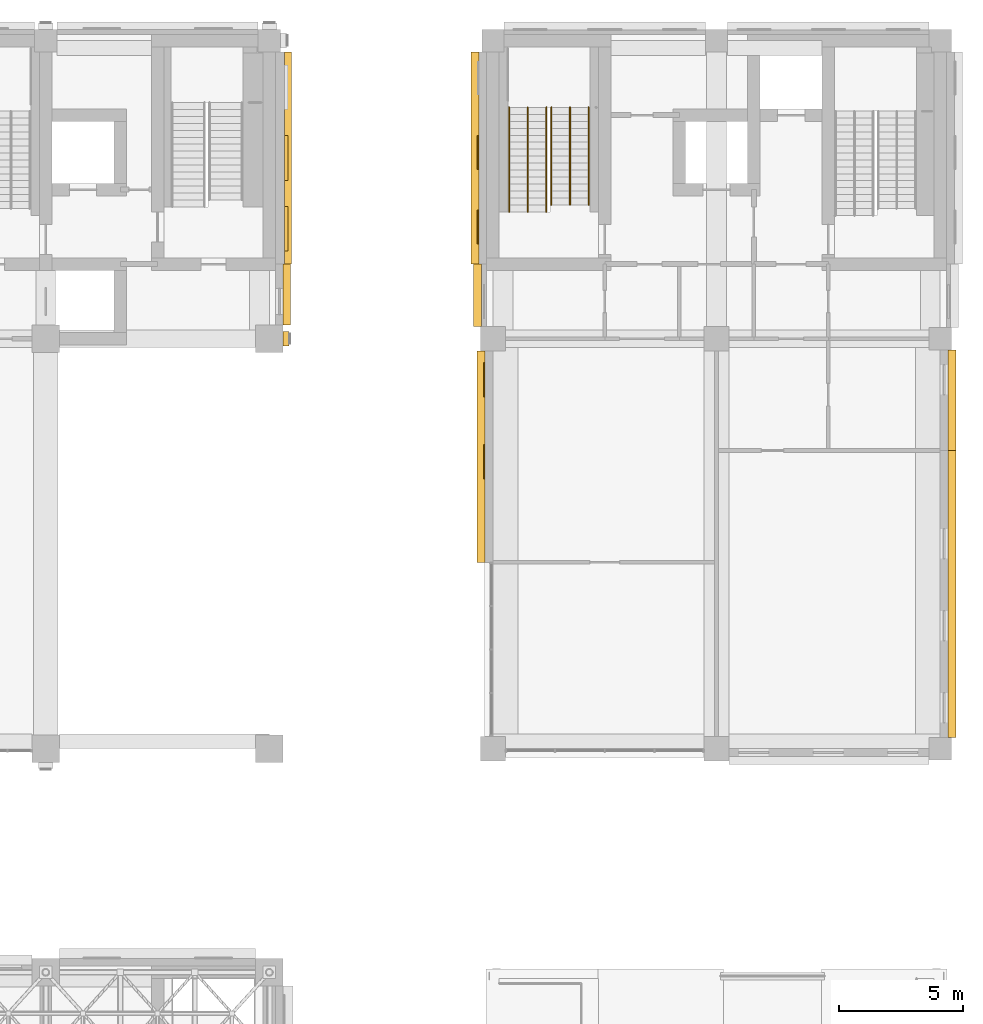
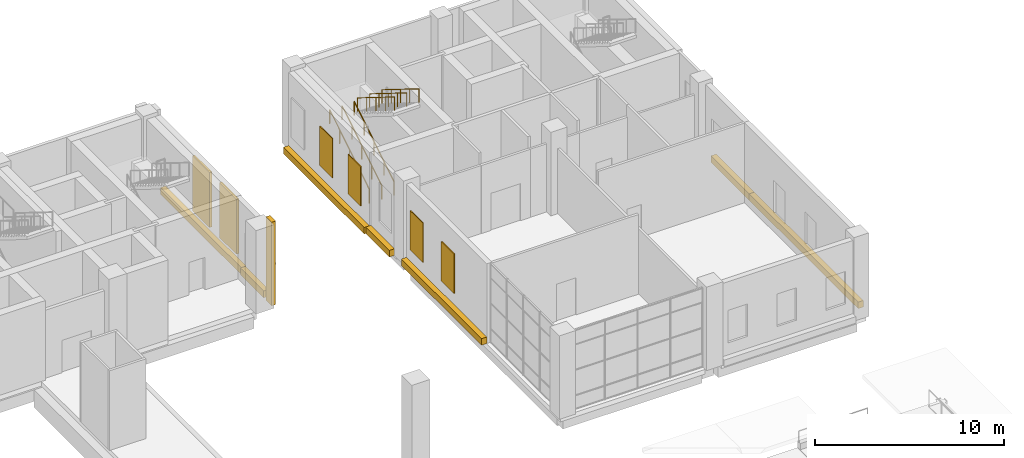
# One storey, part 45 of 53: 14 coverings, 6 railings.
"""IFC4 building model written with IfcOpenShell, lengths in metres."""

from ifc_helpers import new_model, si_unit, direction, frame, origin, origin_2d, place, context, subcontext, project, spatial, rectangle, circle, extrude, material, layer, layer_set, type_object, element, save


model = new_model("IFC4")

# Units and contexts
model_context = context("Model", 3, precision=1e-05, world=origin(), true_north=direction((0.0, 1.0)))
body_context = subcontext(model_context, "Body", "Model", "MODEL_VIEW")
ifc_project = project(units=[si_unit("LENGTHUNIT", "METRE"), si_unit("AREAUNIT", "SQUARE_METRE"), si_unit("VOLUMEUNIT", "CUBIC_METRE"), si_unit("PLANEANGLEUNIT", "RADIAN"), si_unit("MASSUNIT", "GRAM", prefix="KILO")], contexts=[model_context])

# Site, building, storey
site_placement = place(None, origin())
site = spatial("IfcSite", under=ifc_project, at=site_placement, CompositionType="ELEMENT")
building_placement = place(site_placement, origin())
building = spatial("IfcBuilding", under=site, at=building_placement, Name="Aurelan Courthouse", CompositionType="ELEMENT")
storey_placement = place(building_placement, frame((0.0, 0.0, 12.0)))
storey = spatial("IfcBuildingStorey", under=building, at=storey_placement, Name="L02", CompositionType="ELEMENT", Elevation=12.0)

# Coverings
ifc_material_1 = material(Name="Limestone cladding", Category="masonry")
covering_type_1 = type_object("IfcCoveringType", Name="Courtroom Block pilaster fin 600 x 250", PredefinedType="CLADDING", material=ifc_material_1)
covering_1_placement = place(storey_placement, frame((63.675048828125, 54.0, 0.0), z_axis=(0.0, 0.0, 1.0), x_axis=(1.0, 0.0, 0.0)))
element("IfcCovering", 1, at=covering_1_placement, inside=storey, type_object=covering_type_1, Name="Pilaster fin FN-V2-007", PredefinedType="CLADDING", context=body_context, shape_type="SweptSolid", body=[
    extrude(rectangle(XDim=0.25, YDim=0.60009765625, at=origin_2d()), origin(), (0.0, 0.0, 1.0), 5.39990234375),
])
covering_type_2 = type_object("IfcCoveringType", Name="Courtroom Block string course 450 x 300", PredefinedType="CLADDING", material=ifc_material_1)
covering_2_placement = place(storey_placement, frame((63.699951171875, 55.77490234375, 0.0), z_axis=(0.0, 0.0, 1.0), x_axis=(1.0, 0.0, 0.0)))
element("IfcCovering", 2, at=covering_2_placement, inside=storey, type_object=covering_type_2, Name="String course SC-V2-005", PredefinedType="CLADDING", context=body_context, shape_type="SweptSolid", body=[
    extrude(rectangle(XDim=0.300048828125, YDim=2.449951171875, at=origin_2d()), origin(), (0.0, 0.0, 1.0), 0.449951171875),
])
covering_3_placement = place(storey_placement, frame((63.75, 61.27490234375, 0.0), z_axis=(0.0, 0.0, 1.0), x_axis=(1.0, 0.0, 0.0)))
element("IfcCovering", 3, at=covering_3_placement, inside=storey, type_object=covering_type_2, Name="String course SC-V2-007", PredefinedType="CLADDING", context=body_context, shape_type="SweptSolid", body=[
    extrude(rectangle(XDim=0.300048828125, YDim=8.550048828125, at=origin_2d()), origin(), (0.0, 0.0, 1.0), 0.449951171875),
])
ifc_material_2 = material(Name="Bronze sheet cladding")
ifc_layer_1 = layer(ifc_material_2, 0.06005859375)
ifc_layer_set_1 = layer_set([ifc_layer_1], Name="Bronze sheet cladding")
covering_type_3 = type_object("IfcCoveringType", Name="Law Library blind bay 1350 x 2550", PredefinedType="CLADDING", material=ifc_layer_set_1)
for number, where, z_axis, x_axis, name in (
    (4, (71.64990234375, 49.050048828125, 1.2001953125), (0.0, 0.0, 1.0), (1.0, 0.0, 0.0), "Blind bay BB-V3-L02-010"),
    (5, (71.64990234375, 52.35009765625, 1.2001953125), (0.0, 0.0, 1.0), (1.0, 0.0, 0.0), "Blind bay BB-V3-L02-011"),
    (6, (71.39990234375, 58.5, 1.2001953125), (0.0, 0.0, 1.0), (1.0, 0.0, 0.0), "Blind bay BB-V3-L02-012"),
    (7, (71.39990234375, 61.5, 1.2001953125), (0.0, 0.0, 1.0), (1.0, 0.0, 0.0), "Blind bay BB-V3-L02-013"),
):
    element("IfcCovering", number, at=place(storey_placement, frame(where, z_axis=z_axis, x_axis=x_axis)), inside=storey, type_object=covering_type_3, Name=name, PredefinedType="CLADDING", context=body_context, shape_type="SweptSolid", body=[
        extrude(rectangle(XDim=0.06005859375, YDim=1.35009765625, at=origin_2d()), origin(), (0.0, 0.0, 1.0), 2.550048828125),
    ])
covering_type_4 = type_object("IfcCoveringType", Name="Law Library string course 420 x 320", PredefinedType="CLADDING", material=ifc_material_1)
covering_4_placement = place(storey_placement, frame((90.47998046875, 43.72509765625, 0.0), z_axis=(0.0, 0.0, 1.0), x_axis=(1.0, 0.0, 0.0)))
element("IfcCovering", 8, at=covering_4_placement, inside=storey, type_object=covering_type_4, Name="String course SC-V3-002", PredefinedType="CLADDING", context=body_context, shape_type="SweptSolid", body=[
    extrude(rectangle(XDim=0.320068359375, YDim=11.550048828125, at=origin_2d()), origin(), (0.0, 0.0, 1.0), 0.419921875),
])
covering_5_placement = place(storey_placement, frame((71.52001953125, 49.25, 0.0), z_axis=(0.0, 0.0, 1.0), x_axis=(1.0, 0.0, 0.0)))
element("IfcCovering", 9, at=covering_5_placement, inside=storey, type_object=covering_type_4, Name="String course SC-V3-003", PredefinedType="CLADDING", context=body_context, shape_type="SweptSolid", body=[
    extrude(rectangle(XDim=0.320068359375, YDim=8.5, at=origin_2d()), origin(), (0.0, 0.0, 1.0), 0.419921875),
])
covering_6_placement = place(storey_placement, frame((90.47998046875, 51.52490234375, 0.0), z_axis=(0.0, 0.0, 1.0), x_axis=(1.0, 0.0, 0.0)))
element("IfcCovering", 10, at=covering_6_placement, inside=storey, type_object=covering_type_4, Name="String course SC-V3-004", PredefinedType="CLADDING", context=body_context, shape_type="SweptSolid", body=[
    extrude(rectangle(XDim=0.320068359375, YDim=4.050048828125, at=origin_2d()), origin(), (0.0, 0.0, 1.0), 0.419921875),
])
covering_7_placement = place(storey_placement, frame((71.3701171875, 55.75, 0.0), z_axis=(0.0, 0.0, 1.0), x_axis=(1.0, 0.0, 0.0)))
element("IfcCovering", 11, at=covering_7_placement, inside=storey, type_object=covering_type_4, Name="String course SC-V3-006", PredefinedType="CLADDING", context=body_context, shape_type="SweptSolid", body=[
    extrude(rectangle(XDim=0.320068359375, YDim=2.5, at=origin_2d()), origin(), (0.0, 0.0, 1.0), 0.419921875),
])
covering_8_placement = place(storey_placement, frame((71.27001953125, 61.27490234375, 0.0), z_axis=(0.0, 0.0, 1.0), x_axis=(1.0, 0.0, 0.0)))
element("IfcCovering", 12, at=covering_8_placement, inside=storey, type_object=covering_type_4, Name="String course SC-V3-007", PredefinedType="CLADDING", context=body_context, shape_type="SweptSolid", body=[
    extrude(rectangle(XDim=0.320068359375, YDim=8.550048828125, at=origin_2d()), origin(), (0.0, 0.0, 1.0), 0.419921875),
])
ifc_layer_2 = layer(ifc_material_2, 0.14990234375)
ifc_layer_set_2 = layer_set([ifc_layer_2], Name="Bronze sheet cladding")
covering_type_5 = type_object("IfcCoveringType", Name="Relief panel 1800 x 3550 x 150", PredefinedType="CLADDING", material=ifc_layer_set_2)
for number, where, z_axis, x_axis, name in (
    (13, (63.675048828125, 58.425048828125, 1.0), (0.0, 0.0, 1.0), (1.0, 0.0, 0.0), "Relief panel RP-V2-015"),
    (14, (63.675048828125, 61.27490234375, 1.0), (0.0, 0.0, 1.0), (1.0, 0.0, 0.0), "Relief panel RP-V2-016"),
):
    element("IfcCovering", number, at=place(storey_placement, frame(where, z_axis=z_axis, x_axis=x_axis)), inside=storey, type_object=covering_type_5, Name=name, PredefinedType="CLADDING", context=body_context, shape_type="SweptSolid", body=[
        extrude(rectangle(XDim=0.14990234375, YDim=1.800048828125, at=origin_2d()), origin(), (0.0, 0.0, 1.0), 3.550048828125),
    ])

# Railings
ifc_material_3 = material(Name="Steel S355", Category="steel")
railing_type = type_object("IfcRailingType", Name="Stair handrail 900", PredefinedType="HANDRAIL", material=ifc_material_3)
for number, where, name in (
    (15, (72.64990234375, 59.110107421875, 0.17431640625), "Handrail ST-3A-L02-H1"),
    (16, (74.14990234375, 59.110107421875, 0.17431640625), "Handrail ST-3A-L02-H2"),
    (17, (73.39990234375, 59.110107421875, 0.17431640625), "Handrail ST-3A-L02-H3"),
):
    element("IfcRailing", number, at=place(storey_placement, frame(where)), inside=storey, type_object=railing_type, Name=name, PredefinedType="HANDRAIL", context=body_context, shape_type="SweptSolid", body=[
        extrude(circle(Radius=0.02392578125, at=origin_2d()), frame((0.0, 0.0, 0.8759765625), z_axis=(0.0, 0.849102848233, 0.528227558088), x_axis=(-1.0, 0.0, 0.0)), (0.0, 0.0, 1.0), 4.9462890625),
        extrude(circle(Radius=0.02099609375, at=origin_2d()), origin(), (0.0, 0.0, 1.0), 0.851806640625),
        extrude(circle(Radius=0.02099609375, at=origin_2d()), frame((0.0, 1.050048828125, 0.6533203125)), (0.0, 0.0, 1.0), 0.851806640625),
        extrude(circle(Radius=0.02099609375, at=origin_2d()), frame((0.0, 2.10009765625, 1.306396484375)), (0.0, 0.0, 1.0), 0.851806640625),
        extrude(circle(Radius=0.02099609375, at=origin_2d()), frame((0.0, 3.14990234375, 1.95947265625)), (0.0, 0.0, 1.0), 0.851806640625),
        extrude(circle(Radius=0.02099609375, at=origin_2d()), frame((0.0, 4.199951171875, 2.61279296875)), (0.0, 0.0, 1.0), 0.851806640625),
    ])
for number, where, name in (
    (18, (74.35009765625, 63.31005859375, 2.961181640625), "Handrail ST-3A-L02-H4"),
    (19, (75.85009765625, 63.31005859375, 2.961181640625), "Handrail ST-3A-L02-H5"),
    (20, (75.10009765625, 63.31005859375, 2.961181640625), "Handrail ST-3A-L02-H6"),
):
    element("IfcRailing", number, at=place(storey_placement, frame(where)), inside=storey, type_object=railing_type, Name=name, PredefinedType="HANDRAIL", context=body_context, shape_type="SweptSolid", body=[
        extrude(circle(Radius=0.02392578125, at=origin_2d()), frame((0.0, 0.0, 0.8759765625), z_axis=(0.0, -0.849104567483, 0.528224794457), x_axis=(1.0, 0.0, 0.0)), (0.0, 0.0, 1.0), 4.616943359375),
        extrude(circle(Radius=0.02099609375, at=origin_2d()), origin(), (0.0, 0.0, 1.0), 0.851806640625),
        extrude(circle(Radius=0.02099609375, at=origin_2d()), frame((0.0, -0.97998046875, 0.609619140625)), (0.0, 0.0, 1.0), 0.851806640625),
        extrude(circle(Radius=0.02099609375, at=origin_2d()), frame((0.0, -1.9599609375, 1.21923828125)), (0.0, 0.0, 1.0), 0.851806640625),
        extrude(circle(Radius=0.02099609375, at=origin_2d()), frame((0.0, -2.940185546875, 1.8291015625)), (0.0, 0.0, 1.0), 0.851806640625),
        extrude(circle(Radius=0.02099609375, at=origin_2d()), frame((0.0, -3.920166015625, 2.438720703125)), (0.0, 0.0, 1.0), 0.851806640625),
    ])

save(model, "model.ifc")
